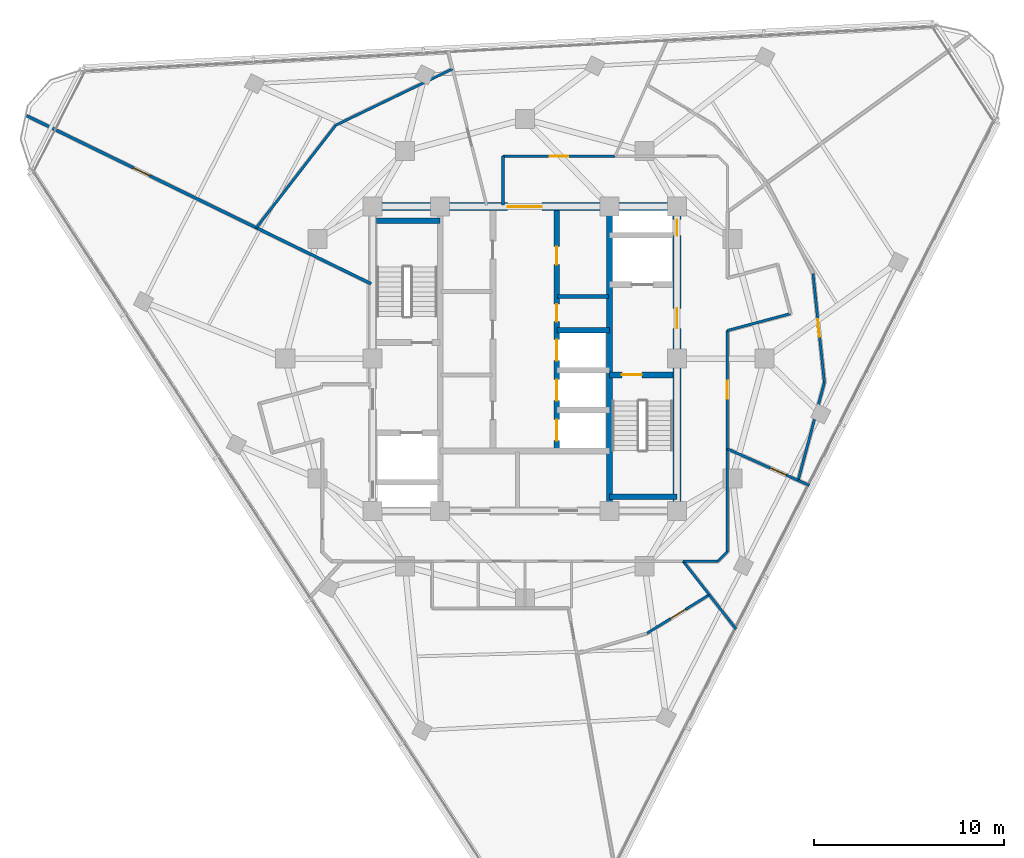
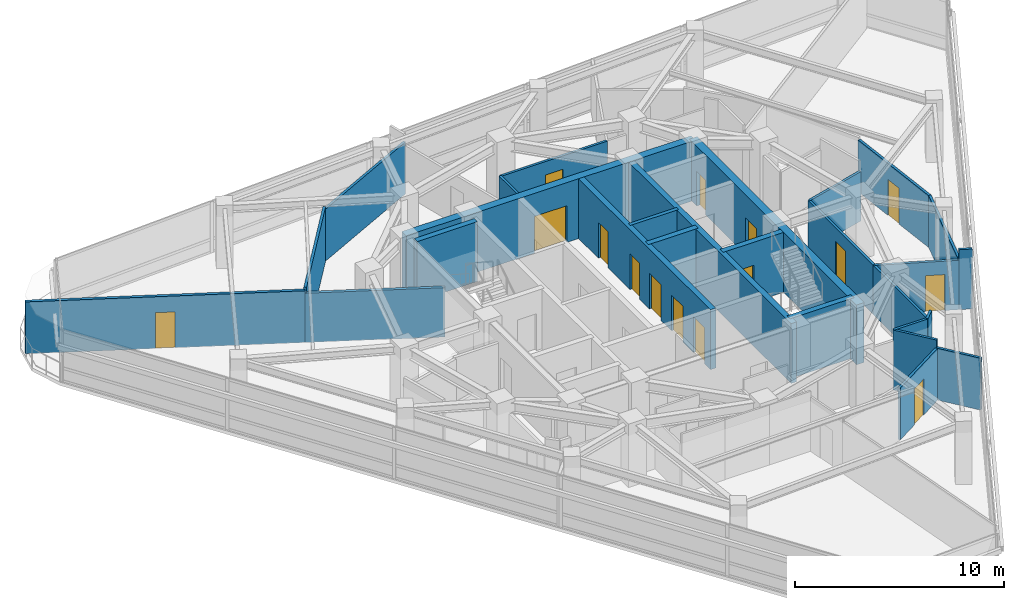
# One storey, part 9 of 15: 27 walls, 15 doors, 15 openings.
"""IFC4 building model written with IfcOpenShell, lengths in metres."""

from ifc_helpers import new_model, si_unit, direction, frame, frame_2d, origin, place, context, subcontext, project, spatial, rectangle, extrude, material, layer, layer_set, type_object, element, fill, save


model = new_model("IFC4")

# Units and contexts
model_context = context("Model", 3, precision=1e-05, world=origin(), true_north=direction((0.0, 1.0)))
body_context = subcontext(model_context, "Body", "Model", "MODEL_VIEW")
ifc_project = project(units=[si_unit("LENGTHUNIT", "METRE"), si_unit("AREAUNIT", "SQUARE_METRE"), si_unit("VOLUMEUNIT", "CUBIC_METRE"), si_unit("PLANEANGLEUNIT", "RADIAN"), si_unit("MASSUNIT", "GRAM", prefix="KILO")], contexts=[model_context])

# Site, building, storey
site_placement = place(None, origin())
site = spatial("IfcSite", under=ifc_project, at=site_placement, CompositionType="ELEMENT")
building_placement = place(site_placement, origin())
building = spatial("IfcBuilding", under=site, at=building_placement, Name="Terralouvre Media Tower", CompositionType="ELEMENT")
storey_placement = place(building_placement, frame((0.0, 0.0, 255.89990234375)))
storey = spatial("IfcBuildingStorey", under=building, at=storey_placement, Name="L66", CompositionType="ELEMENT", Elevation=255.89990234375)

# Walls
ifc_material_1 = material(Name="Concrete C50/60", Category="concrete")
ifc_layer_1 = layer(ifc_material_1, 0.300048828125, Name="Core Internal Shaft Wall CW-300")
ifc_layer_set_1 = layer_set([ifc_layer_1], Name="Concrete C50/60")
wall_type_1 = type_object("IfcWallType", Name="Core Internal Shaft Wall CW-300", PredefinedType="SHEAR", material=ifc_layer_set_1)
wall_1_placement = place(storey_placement, frame((4.449951171875, -7.7900390625, 0.0), z_axis=(0.0, 0.0, 1.0), x_axis=(0.0, 1.0, 0.0)))
element("IfcWall", 1, at=wall_1_placement, inside=storey, type_object=wall_type_1, Name="L66 Core Shaft Wall SPE", PredefinedType="SHEAR", context=body_context, shape_type="SweptSolid", body=[
    extrude(rectangle(XDim=15.580078125, YDim=0.300048828125, at=frame_2d((7.7900390625, 0.0))), origin(), (0.0, 0.0, 1.0), 3.5),
])
wall_2_placement = place(storey_placement, frame((-7.7900390625, 7.260009765625, 0.0), z_axis=(0.0, 0.0, 1.0), x_axis=(1.0, 0.0, 0.0)))
element("IfcWall", 2, at=wall_2_placement, inside=storey, type_object=wall_type_1, Name="L66 Core Shaft Wall ST1F", PredefinedType="SHEAR", context=body_context, shape_type="SweptSolid", body=[
    extrude(rectangle(XDim=3.340087890625, YDim=0.300048828125, at=frame_2d((1.669921875, 0.0))), origin(), (0.0, 0.0, 1.0), 3.5),
])

# Wall, opening, door
wall_3_placement = place(storey_placement, frame((4.449951171875, -0.85009765625, 0.0), z_axis=(0.0, 0.0, 1.0), x_axis=(1.0, 0.0, 0.0)))
wall_3 = element("IfcWall", 3, at=wall_3_placement, inside=storey, type_object=wall_type_1, Name="L66 Core Shaft Wall ST2D", PredefinedType="SHEAR", context=body_context, shape_type="SweptSolid", body=[
    extrude(rectangle(XDim=3.340087890625, YDim=0.300048828125, at=frame_2d((1.669921875, 0.0))), origin(), (0.0, 0.0, 1.0), 3.5),
])
opening_1_placement = place(wall_3_placement, frame((0.64990234375, 0.0, 0.0)))
opening_1 = element("IfcOpeningElement", 4, at=opening_1_placement, cuts=wall_3, Name="Opening FD-01-105X215", PredefinedType="OPENING", context=body_context, shape_type="SweptSolid", body=[
    extrude(rectangle(XDim=1.050048828125, YDim=2.14990234375, at=frame_2d((0.52490234375, 1.074951171875))), frame((0.0, 0.159912109375, 0.0), z_axis=(0.0, -1.0, 0.0), x_axis=(1.0, 0.0, 0.0)), (0.0, 0.0, 1.0), 0.320068359375),
])
ifc_material_2 = material(Name="Galvanised steel fire-resisting leaf", Category="steel")
door_type_1 = type_object("IfcDoorType", Name="Stair and Firefighting Lobby Fire Door FD-01 (1050x2150)", OperationType="NOTDEFINED", PredefinedType="DOOR", material=ifc_material_2)
door_1_placement = place(opening_1_placement, origin())
door_1 = element("IfcDoor", 5, at=door_1_placement, inside=storey, type_object=door_type_1, Name="L66 ST-02 Exit Stair Door", OperationType="SINGLE_SWING_RIGHT", OverallHeight=2.14990234375, OverallWidth=1.050048828125, PredefinedType="DOOR", context=body_context, shape_type="SweptSolid", body=[
    extrude(rectangle(XDim=1.050048828125, YDim=2.14990234375, at=frame_2d((0.52490234375, 1.074951171875))), frame((0.0, 0.02490234375, 0.0), z_axis=(0.0, -1.0, 0.0), x_axis=(1.0, 0.0, 0.0)), (0.0, 0.0, 1.0), 0.050048828125),
])
fill(opening_1, door_1)

# Wall
wall_4_placement = place(storey_placement, frame((4.449951171875, -7.260009765625, 0.0), z_axis=(0.0, 0.0, 1.0), x_axis=(1.0, 0.0, 0.0)))
element("IfcWall", 6, at=wall_4_placement, inside=storey, type_object=wall_type_1, Name="L66 Core Shaft Wall ST2F", PredefinedType="SHEAR", context=body_context, shape_type="SweptSolid", body=[
    extrude(rectangle(XDim=3.550048828125, YDim=0.300048828125, at=frame_2d((1.77490234375, 0.0))), origin(), (0.0, 0.0, 1.0), 3.5),
])

# Wall, openings, doors
wall_5_placement = place(storey_placement, frame((1.679931640625, -4.85009765625, 0.0), z_axis=(0.0, 0.0, 1.0), x_axis=(0.0, 1.0, 0.0)))
wall_5 = element("IfcWall", 7, at=wall_5_placement, inside=storey, type_object=wall_type_1, Name="L66 Core Shaft Wall LBE", PredefinedType="SHEAR", context=body_context, shape_type="SweptSolid", body=[
    extrude(rectangle(XDim=12.64013671875, YDim=0.300048828125, at=frame_2d((6.320068359375, 0.0))), origin(), (0.0, 0.0, 1.0), 3.5),
])
opening_2_placement = place(wall_5_placement, frame((0.550048828125, 0.0, 0.0)))
opening_2 = element("IfcOpeningElement", 8, at=opening_2_placement, cuts=wall_5, Name="Opening LD-PL", PredefinedType="OPENING", context=body_context, shape_type="SweptSolid", body=[
    extrude(rectangle(XDim=1.10009765625, YDim=2.10009765625, at=frame_2d((0.550048828125, 1.050048828125))), frame((0.0, 0.159912109375, 0.0), z_axis=(0.0, -1.0, 0.0), x_axis=(1.0, 0.0, 0.0)), (0.0, 0.0, 1.0), 0.320068359375),
])
opening_3_placement = place(wall_5_placement, frame((2.64990234375, 0.0, 0.0)))
opening_3 = element("IfcOpeningElement", 9, at=opening_3_placement, cuts=wall_5, Name="Opening LD-PL", PredefinedType="OPENING", context=body_context, shape_type="SweptSolid", body=[
    extrude(rectangle(XDim=1.10009765625, YDim=2.10009765625, at=frame_2d((0.550048828125, 1.050048828125))), frame((0.0, 0.159912109375, 0.0), z_axis=(0.0, -1.0, 0.0), x_axis=(1.0, 0.0, 0.0)), (0.0, 0.0, 1.0), 0.320068359375),
])
opening_4_placement = place(wall_5_placement, frame((4.75, 0.0, 0.0)))
opening_4 = element("IfcOpeningElement", 10, at=opening_4_placement, cuts=wall_5, Name="Opening LD-PL", PredefinedType="OPENING", context=body_context, shape_type="SweptSolid", body=[
    extrude(rectangle(XDim=1.10009765625, YDim=2.10009765625, at=frame_2d((0.550048828125, 1.050048828125))), frame((0.0, 0.159912109375, 0.0), z_axis=(0.0, -1.0, 0.0), x_axis=(1.0, 0.0, 0.0)), (0.0, 0.0, 1.0), 0.320068359375),
])
opening_5_placement = place(wall_5_placement, frame((6.800048828125, 0.0, 0.0)))
opening_5 = element("IfcOpeningElement", 11, at=opening_5_placement, cuts=wall_5, Name="Opening FD-05-92X210", PredefinedType="OPENING", context=body_context, shape_type="SweptSolid", body=[
    extrude(rectangle(XDim=0.919921875, YDim=2.10009765625, at=frame_2d((0.4599609375, 1.050048828125))), frame((0.0, 0.159912109375, 0.0), z_axis=(0.0, -1.0, 0.0), x_axis=(1.0, 0.0, 0.0)), (0.0, 0.0, 1.0), 0.320068359375),
])
opening_6_placement = place(wall_5_placement, frame((9.800048828125, 0.0, 0.0)))
opening_6 = element("IfcOpeningElement", 12, at=opening_6_placement, cuts=wall_5, Name="Opening FD-02-95X210", PredefinedType="OPENING", context=body_context, shape_type="SweptSolid", body=[
    extrude(rectangle(XDim=0.949951171875, YDim=2.10009765625, at=frame_2d((0.47509765625, 1.050048828125))), frame((0.0, 0.159912109375, 0.0), z_axis=(0.0, -1.0, 0.0), x_axis=(1.0, 0.0, 0.0)), (0.0, 0.0, 1.0), 0.320068359375),
])
ifc_material_3 = material(Name="Galvanised steel fire-resisting leaf", Category="steel")
door_type_2 = type_object("IfcDoorType", Name="Core Accessible Closet Fire Door FD-05 (920x2100)", OperationType="NOTDEFINED", PredefinedType="DOOR", material=ifc_material_3)
door_2_placement = place(opening_5_placement, origin())
door_2 = element("IfcDoor", 13, at=door_2_placement, inside=storey, type_object=door_type_2, Name="L66 Core Safe Store Door", OperationType="SINGLE_SWING_LEFT", OverallHeight=2.10009765625, OverallWidth=0.919921875, PredefinedType="DOOR", context=body_context, shape_type="SweptSolid", body=[
    extrude(rectangle(XDim=0.919921875, YDim=2.10009765625, at=frame_2d((0.4599609375, 1.050048828125))), frame((0.0, 0.02490234375, 0.0), z_axis=(0.0, -1.0, 0.0), x_axis=(1.0, 0.0, 0.0)), (0.0, 0.0, 1.0), 0.050048828125),
])
fill(opening_5, door_2)
ifc_material_4 = material(Name="Stainless steel 316 handrail and balustrade", Category="steel")
door_type_3 = type_object("IfcDoorType", Name="Passenger Lift Sliding Landing Door LD-PL", OperationType="SLIDING_TO_LEFT", PredefinedType="DOOR", material=ifc_material_4)
door_3_placement = place(opening_2_placement, origin())
door_3 = element("IfcDoor", 14, at=door_3_placement, inside=storey, type_object=door_type_3, Name="L66 High-Rise Lift PL-H1 Landing Door", OperationType="SLIDING_TO_LEFT", OverallHeight=2.10009765625, OverallWidth=1.10009765625, PredefinedType="DOOR", context=body_context, shape_type="SweptSolid", body=[
    extrude(rectangle(XDim=1.10009765625, YDim=2.10009765625, at=frame_2d((0.550048828125, 1.050048828125))), frame((0.0, 0.02490234375, 0.0), z_axis=(0.0, -1.0, 0.0), x_axis=(1.0, 0.0, 0.0)), (0.0, 0.0, 1.0), 0.050048828125),
])
fill(opening_2, door_3)
door_4_placement = place(opening_3_placement, origin())
door_4 = element("IfcDoor", 15, at=door_4_placement, inside=storey, type_object=door_type_3, Name="L66 High-Rise Lift PL-H2 Landing Door", OperationType="SLIDING_TO_LEFT", OverallHeight=2.10009765625, OverallWidth=1.10009765625, PredefinedType="DOOR", context=body_context, shape_type="SweptSolid", body=[
    extrude(rectangle(XDim=1.10009765625, YDim=2.10009765625, at=frame_2d((0.550048828125, 1.050048828125))), frame((0.0, 0.02490234375, 0.0), z_axis=(0.0, -1.0, 0.0), x_axis=(1.0, 0.0, 0.0)), (0.0, 0.0, 1.0), 0.050048828125),
])
fill(opening_3, door_4)
door_5_placement = place(opening_4_placement, origin())
door_5 = element("IfcDoor", 16, at=door_5_placement, inside=storey, type_object=door_type_3, Name="L66 High-Rise Lift PL-H3 Landing Door", OperationType="SLIDING_TO_LEFT", OverallHeight=2.10009765625, OverallWidth=1.10009765625, PredefinedType="DOOR", context=body_context, shape_type="SweptSolid", body=[
    extrude(rectangle(XDim=1.10009765625, YDim=2.10009765625, at=frame_2d((0.550048828125, 1.050048828125))), frame((0.0, 0.02490234375, 0.0), z_axis=(0.0, -1.0, 0.0), x_axis=(1.0, 0.0, 0.0)), (0.0, 0.0, 1.0), 0.050048828125),
])
fill(opening_4, door_5)
ifc_material_5 = material(Name="Galvanised steel fire-resisting leaf", Category="steel")
door_type_4 = type_object("IfcDoorType", Name="Plant and Riser Fire Door FD-02 (950x2100)", OperationType="NOTDEFINED", PredefinedType="DOOR", material=ifc_material_5)
door_6_placement = place(opening_6_placement, origin())
door_6 = element("IfcDoor", 17, at=door_6_placement, inside=storey, type_object=door_type_4, Name="L66 Core IT Patch Plant Door", OperationType="SINGLE_SWING_RIGHT", OverallHeight=2.10009765625, OverallWidth=0.949951171875, PredefinedType="DOOR", context=body_context, shape_type="SweptSolid", body=[
    extrude(rectangle(XDim=0.949951171875, YDim=2.10009765625, at=frame_2d((0.47509765625, 1.050048828125))), frame((0.0, 0.02490234375, 0.0), z_axis=(0.0, -1.0, 0.0), x_axis=(1.0, 0.0, 0.0)), (0.0, 0.0, 1.0), 0.050048828125),
])
fill(opening_6, door_6)

# Wall
wall_6_placement = place(storey_placement, frame((1.679931640625, 1.5, 0.0), z_axis=(0.0, 0.0, 1.0), x_axis=(1.0, 0.0, 0.0)))
element("IfcWall", 18, at=wall_6_placement, inside=storey, type_object=wall_type_1, Name="L66 Core Shaft Wall PLMBOT", PredefinedType="SHEAR", context=body_context, shape_type="SweptSolid", body=[
    extrude(rectangle(XDim=2.77001953125, YDim=0.300048828125, at=frame_2d((1.385009765625, 0.0))), origin(), (0.0, 0.0, 1.0), 3.5),
])

# Wall, openings, doors
ifc_material_6 = material(Name="Concrete C60/75", Category="concrete")
ifc_layer_2 = layer(ifc_material_6, 0.419921875, Name="Core Reinforced Concrete Shear Wall CW-420")
ifc_layer_set_2 = layer_set([ifc_layer_2], Name="Concrete C60/75")
wall_type_2 = type_object("IfcWallType", Name="Core Reinforced Concrete Shear Wall CW-420", PredefinedType="SHEAR", material=ifc_layer_set_2)
wall_7_placement = place(storey_placement, frame((8.0, -8.0, 0.0), z_axis=(0.0, 0.0, 1.0), x_axis=(0.0, 1.0, 0.0)))
wall_7 = element("IfcWall", 19, at=wall_7_placement, inside=storey, type_object=wall_type_2, Name="L66 E Core Shear Wall", PredefinedType="SHEAR", context=body_context, shape_type="SweptSolid", body=[
    extrude(rectangle(XDim=16.0, YDim=0.419921875, at=frame_2d((8.0, 0.0))), origin(), (0.0, 0.0, 1.0), 3.5),
])
opening_7_placement = place(wall_7_placement, frame((9.60009765625, 0.0, 0.0)))
opening_7 = element("IfcOpeningElement", 20, at=opening_7_placement, cuts=wall_7, Name="Opening FD-01-105X215", PredefinedType="OPENING", context=body_context, shape_type="SweptSolid", body=[
    extrude(rectangle(XDim=1.050048828125, YDim=2.14990234375, at=frame_2d((0.52490234375, 1.074951171875))), frame((0.0, 0.219970703125, 0.0), z_axis=(0.0, -1.0, 0.0), x_axis=(1.0, 0.0, 0.0)), (0.0, 0.0, 1.0), 0.43994140625),
])
opening_8_placement = place(wall_7_placement, frame((14.468994140625, 0.0, 0.0)))
opening_8 = element("IfcOpeningElement", 21, at=opening_8_placement, cuts=wall_7, Name="Opening TD-R1", PredefinedType="OPENING", context=body_context, shape_type="SweptSolid", body=[
    extrude(rectangle(XDim=0.85009765625, YDim=2.02001953125, at=frame_2d((0.425048828125, 1.010009765625))), frame((0.0, 0.219970703125, 0.0), z_axis=(0.0, -1.0, 0.0), x_axis=(1.0, 0.0, 0.0)), (0.0, 0.0, 1.0), 0.43994140625),
])
ifc_material_7 = material(Name="Galvanised steel fire-resisting leaf", Category="steel")
door_type_5 = type_object("IfcDoorType", Name="Riser Inspection Access Trapdoor TD-R1", OperationType="NOTDEFINED", PredefinedType="TRAPDOOR", material=ifc_material_7)
door_7_placement = place(opening_8_placement, origin())
door_7 = element("IfcDoor", 22, at=door_7_placement, inside=storey, type_object=door_type_5, Name="L66 East Comms Riser Access Trapdoor", OperationType="SINGLE_SWING_RIGHT", OverallHeight=2.02001953125, OverallWidth=0.85009765625, PredefinedType="TRAPDOOR", context=body_context, shape_type="SweptSolid", body=[
    extrude(rectangle(XDim=0.85009765625, YDim=2.02001953125, at=frame_2d((0.425048828125, 1.010009765625))), frame((0.0, 0.02490234375, 0.0), z_axis=(0.0, -1.0, 0.0), x_axis=(1.0, 0.0, 0.0)), (0.0, 0.0, 1.0), 0.050048828125),
])
fill(opening_8, door_7)
door_8_placement = place(opening_7_placement, origin())
door_8 = element("IfcDoor", 23, at=door_8_placement, inside=storey, type_object=door_type_1, Name="L66 East Firefighting Lobby Entry Door", OperationType="SINGLE_SWING_LEFT", OverallHeight=2.14990234375, OverallWidth=1.050048828125, PredefinedType="DOOR", context=body_context, shape_type="SweptSolid", body=[
    extrude(rectangle(XDim=1.050048828125, YDim=2.14990234375, at=frame_2d((0.52490234375, 1.074951171875))), frame((0.0, 0.02490234375, 0.0), z_axis=(0.0, -1.0, 0.0), x_axis=(1.0, 0.0, 0.0)), (0.0, 0.0, 1.0), 0.050048828125),
])
fill(opening_7, door_8)

# Wall, opening, door
wall_8_placement = place(storey_placement, frame((-8.0, 8.0, 0.0), z_axis=(0.0, 0.0, 1.0), x_axis=(1.0, 0.0, 0.0)))
wall_8 = element("IfcWall", 24, at=wall_8_placement, inside=storey, type_object=wall_type_2, Name="L66 N Core Shear Wall", PredefinedType="SHEAR", context=body_context, shape_type="SweptSolid", body=[
    extrude(rectangle(XDim=16.0, YDim=0.419921875, at=frame_2d((8.0, 0.0))), origin(), (0.0, 0.0, 1.0), 3.5),
])
opening_9_placement = place(wall_8_placement, frame((7.10009765625, 0.0, 0.0)))
opening_9 = element("IfcOpeningElement", 25, at=opening_9_placement, cuts=wall_8, Name="Opening FD-03", PredefinedType="OPENING", context=body_context, shape_type="SweptSolid", body=[
    extrude(rectangle(XDim=1.800048828125, YDim=2.14990234375, at=frame_2d((0.89990234375, 1.074951171875))), frame((0.0, 0.219970703125, 0.0), z_axis=(0.0, -1.0, 0.0), x_axis=(1.0, 0.0, 0.0)), (0.0, 0.0, 1.0), 0.43994140625),
])
ifc_material_8 = material(Name="Galvanised steel fire-resisting leaf", Category="steel")
door_type_6 = type_object("IfcDoorType", Name="Corridor Smoke-Control Double Door FD-03", OperationType="DOUBLE_DOOR_SINGLE_SWING", PredefinedType="DOOR", material=ifc_material_8)
door_9_placement = place(opening_9_placement, origin())
door_9 = element("IfcDoor", 26, at=door_9_placement, inside=storey, type_object=door_type_6, Name="L66 Central Lift Lobby Portal Door", OperationType="DOUBLE_DOOR_SINGLE_SWING", OverallHeight=2.14990234375, OverallWidth=1.800048828125, PredefinedType="DOOR", context=body_context, shape_type="SweptSolid", body=[
    extrude(rectangle(XDim=1.800048828125, YDim=2.14990234375, at=frame_2d((0.89990234375, 1.074951171875))), frame((0.0, 0.02490234375, 0.0), z_axis=(0.0, -1.0, 0.0), x_axis=(1.0, 0.0, 0.0)), (0.0, 0.0, 1.0), 0.050048828125),
])
fill(opening_9, door_9)

# Wall
ifc_material_9 = material(Name="Fire-rated gypsum board drywall partition")
ifc_layer_3 = layer(ifc_material_9, 0.199951171875, Name="Fire-Rated Shaft and Lobby Partition FW-200")
ifc_layer_set_3 = layer_set([ifc_layer_3], Name="Fire-rated gypsum board drywall partition")
wall_type_3 = type_object("IfcWallType", Name="Fire-Rated Shaft and Lobby Partition FW-200", PredefinedType="SOLIDWALL", material=ifc_layer_set_3)
wall_9_placement = place(storey_placement, frame((1.719970703125, 3.27001953125, 0.0), z_axis=(0.0, 0.0, 1.0), x_axis=(1.0, 0.0, 0.0)))
element("IfcWall", 27, at=wall_9_placement, inside=storey, type_object=wall_type_3, Name="L66 Core East Sub-Partition 1", PredefinedType="SOLIDWALL", context=body_context, shape_type="SweptSolid", body=[
    extrude(rectangle(XDim=2.679931640625, YDim=0.199951171875, at=frame_2d((1.33984375, 0.0))), origin(), (0.0, 0.0, 1.0), 3.5),
])

# Wall, opening, door
ifc_material_10 = material(Name="Fire-rated gypsum board drywall partition")
ifc_layer_4 = layer(ifc_material_10, 0.135009765625, Name="Newsroom Acoustic Partition PT-135")
ifc_layer_set_4 = layer_set([ifc_layer_4], Name="Fire-rated gypsum board drywall partition")
wall_type_4 = type_object("IfcWallType", Name="Newsroom Acoustic Partition PT-135", PredefinedType="PARTITIONING", material=ifc_layer_set_4)
wall_10_placement = place(storey_placement, frame((10.64990234375, -4.741943359375, 0.0), z_axis=(0.0, 0.0, 1.0), x_axis=(0.0, 1.0, 0.0)))
wall_10 = element("IfcWall", 28, at=wall_10_placement, inside=storey, type_object=wall_type_4, Name="L66 Interior Partition 008", PredefinedType="PARTITIONING", context=body_context, shape_type="SweptSolid", body=[
    extrude(rectangle(XDim=6.223876953125, YDim=0.135009765625, at=frame_2d((3.11181640625, 0.0))), origin(), (0.0, 0.0, 1.0), 2.885009765625),
])
opening_10_placement = place(wall_10_placement, frame((2.636962890625, 0.0, 0.0)))
opening_10 = element("IfcOpeningElement", 29, at=opening_10_placement, cuts=wall_10, Name="Opening ID-02-95X210", PredefinedType="OPENING", context=body_context, shape_type="SweptSolid", body=[
    extrude(rectangle(XDim=0.949951171875, YDim=2.10009765625, at=frame_2d((0.47509765625, 1.050048828125))), frame((0.0, 0.077392578125, 0.0), z_axis=(0.0, -1.0, 0.0), x_axis=(1.0, 0.0, 0.0)), (0.0, 0.0, 1.0), 0.155029296875),
])
ifc_material_11 = material(Name="Engineered hardwood acoustic timber leaf", Category="wood")
door_type_7 = type_object("IfcDoorType", Name="Office and Meeting Room Door ID-02 (950x2100)", OperationType="NOTDEFINED", PredefinedType="DOOR", material=ifc_material_11)
door_10_placement = place(opening_10_placement, origin())
door_10 = element("IfcDoor", 30, at=door_10_placement, inside=storey, type_object=door_type_7, Name="L66 Classical and Jazz Listening Library 2 Door", OperationType="SINGLE_SWING_LEFT", OverallHeight=2.10009765625, OverallWidth=0.949951171875, PredefinedType="DOOR", context=body_context, shape_type="SweptSolid", body=[
    extrude(rectangle(XDim=0.949951171875, YDim=2.10009765625, at=frame_2d((0.47509765625, 1.050048828125))), frame((0.0, 0.02490234375, 0.0), z_axis=(0.0, -1.0, 0.0), x_axis=(1.0, 0.0, 0.0)), (0.0, 0.0, 1.0), 0.050048828125),
])
fill(opening_10, door_10)

# Walls
wall_11_placement = place(storey_placement, frame((10.64990234375, 1.48193359375, 0.0), z_axis=(0.0, 0.0, 1.0), x_axis=(0.965961397105, 0.2586862565, 0.0)))
element("IfcWall", 31, at=wall_11_placement, inside=storey, type_object=wall_type_4, Name="L66 Interior Partition 009", PredefinedType="PARTITIONING", context=body_context, shape_type="SweptSolid", body=[
    extrude(rectangle(XDim=3.4287109375, YDim=0.135009765625, at=frame_2d((1.71435546875, 0.0))), origin(), (0.0, 0.0, 1.0), 2.885009765625),
])
wall_12_placement = place(storey_placement, frame((8.321044921875, -10.64990234375, 0.0), z_axis=(0.0, 0.0, 1.0), x_axis=(1.0, 0.0, 0.0)))
element("IfcWall", 32, at=wall_12_placement, inside=storey, type_object=wall_type_4, Name="L66 Interior Partition 018", PredefinedType="PARTITIONING", context=body_context, shape_type="SweptSolid", body=[
    extrude(rectangle(XDim=1.828857421875, YDim=0.135009765625, at=frame_2d((0.91455078125, 0.0))), origin(), (0.0, 0.0, 1.0), 3.5),
])
wall_13_placement = place(storey_placement, frame((10.14990234375, -10.64990234375, 0.0), z_axis=(0.0, 0.0, 1.0), x_axis=(0.707106781187, 0.707106781187, 0.0)))
element("IfcWall", 33, at=wall_13_placement, inside=storey, type_object=wall_type_4, Name="L66 Interior Partition 019", PredefinedType="PARTITIONING", context=body_context, shape_type="SweptSolid", body=[
    extrude(rectangle(XDim=0.70703125, YDim=0.135009765625, at=frame_2d((0.353515625, 0.0))), origin(), (0.0, 0.0, 1.0), 3.5),
])
wall_14_placement = place(storey_placement, frame((10.64990234375, -10.14990234375, 0.0), z_axis=(0.0, 0.0, 1.0), x_axis=(0.0, 1.0, 0.0)))
element("IfcWall", 34, at=wall_14_placement, inside=storey, type_object=wall_type_4, Name="L66 Interior Partition 020", PredefinedType="PARTITIONING", context=body_context, shape_type="SweptSolid", body=[
    extrude(rectangle(XDim=5.407958984375, YDim=0.135009765625, at=frame_2d((2.7041015625, 0.0))), origin(), (0.0, 0.0, 1.0), 2.885009765625),
])

# Wall, opening, door
wall_15_placement = place(storey_placement, frame((4.741943359375, 10.64990234375, 0.0), z_axis=(0.0, 0.0, 1.0), x_axis=(-1.0, 0.0, 0.0)))
wall_15 = element("IfcWall", 35, at=wall_15_placement, inside=storey, type_object=wall_type_4, Name="L66 Interior Partition 024", PredefinedType="PARTITIONING", context=body_context, shape_type="SweptSolid", body=[
    extrude(rectangle(XDim=5.891845703125, YDim=0.135009765625, at=frame_2d((2.94580078125, 0.0))), origin(), (0.0, 0.0, 1.0), 2.885009765625),
])
opening_11_placement = place(wall_15_placement, frame((2.470947265625, 0.0, 0.0)))
opening_11 = element("IfcOpeningElement", 36, at=opening_11_placement, cuts=wall_15, Name="Opening ID-02-95X210", PredefinedType="OPENING", context=body_context, shape_type="SweptSolid", body=[
    extrude(rectangle(XDim=0.949951171875, YDim=2.10009765625, at=frame_2d((0.47509765625, 1.050048828125))), frame((0.0, 0.077392578125, 0.0), z_axis=(0.0, -1.0, 0.0), x_axis=(1.0, 0.0, 0.0)), (0.0, 0.0, 1.0), 0.155029296875),
])
door_11_placement = place(opening_11_placement, origin())
door_11 = element("IfcDoor", 37, at=door_11_placement, inside=storey, type_object=door_type_7, Name="L66 Manuscript Rare Archive Storage 10 Door", OperationType="SINGLE_SWING_LEFT", OverallHeight=2.10009765625, OverallWidth=0.949951171875, PredefinedType="DOOR", context=body_context, shape_type="SweptSolid", body=[
    extrude(rectangle(XDim=0.949951171875, YDim=2.10009765625, at=frame_2d((0.47509765625, 1.050048828125))), frame((0.0, 0.02490234375, 0.0), z_axis=(0.0, -1.0, 0.0), x_axis=(1.0, 0.0, 0.0)), (0.0, 0.0, 1.0), 0.050048828125),
])
fill(opening_11, door_11)

# Wall
wall_16_placement = place(storey_placement, frame((-1.14990234375, 10.64990234375, 0.0), z_axis=(0.0, 0.0, 1.0), x_axis=(0.0, -1.0, 0.0)))
element("IfcWall", 38, at=wall_16_placement, inside=storey, type_object=wall_type_4, Name="L66 Interior Partition 025", PredefinedType="PARTITIONING", context=body_context, shape_type="SweptSolid", body=[
    extrude(rectangle(XDim=2.56982421875, YDim=0.135009765625, at=frame_2d((1.284912109375, 0.0))), origin(), (0.0, 0.0, 1.0), 2.885009765625),
])

# Wall, opening, door
wall_17_placement = place(storey_placement, frame((10.64990234375, -4.741943359375, 0.0), z_axis=(0.0, 0.0, 1.0), x_axis=(0.913526929547, -0.406778255309, 0.0)))
wall_17 = element("IfcWall", 39, at=wall_17_placement, inside=storey, type_object=wall_type_4, Name="L66 Interior Partition 029", PredefinedType="PARTITIONING", context=body_context, shape_type="SweptSolid", body=[
    extrude(rectangle(XDim=4.071044921875, YDim=0.135009765625, at=frame_2d((2.03564453125, 0.0))), origin(), (0.0, 0.0, 1.0), 2.885009765625),
])
opening_12_placement = place(wall_17_placement, frame((2.47119140625, 0.0, 0.0)))
opening_12 = element("IfcOpeningElement", 40, at=opening_12_placement, cuts=wall_17, Name="Opening ID-03-92X210", PredefinedType="OPENING", context=body_context, shape_type="SweptSolid", body=[
    extrude(rectangle(XDim=0.919921875, YDim=2.10009765625, at=frame_2d((0.4599609375, 1.050048828125))), frame((0.0, 0.077392578125, 0.0), z_axis=(0.0, -1.0, 0.0), x_axis=(1.0, 0.0, 0.0)), (0.0, 0.0, 1.0), 0.155029296875),
])
ifc_material_12 = material(Name="Engineered hardwood acoustic timber leaf", Category="wood")
door_type_8 = type_object("IfcDoorType", Name="Accessible Restroom and Suite Door ID-03 (920x2100)", OperationType="NOTDEFINED", PredefinedType="DOOR", material=ifc_material_12)
door_12_placement = place(opening_12_placement, origin())
door_12 = element("IfcDoor", 41, at=door_12_placement, inside=storey, type_object=door_type_8, Name="L66 Literary Salon Lounge 6 Door", OperationType="SINGLE_SWING_RIGHT", OverallHeight=2.10009765625, OverallWidth=0.919921875, PredefinedType="DOOR", context=body_context, shape_type="SweptSolid", body=[
    extrude(rectangle(XDim=0.919921875, YDim=2.10009765625, at=frame_2d((0.4599609375, 1.050048828125))), frame((0.0, 0.02490234375, 0.0), z_axis=(0.0, -1.0, 0.0), x_axis=(1.0, 0.0, 0.0)), (0.0, 0.0, 1.0), 0.050048828125),
])
fill(opening_12, door_12)

# Wall
wall_18_placement = place(storey_placement, frame((14.368896484375, -6.39794921875, 0.0), z_axis=(0.0, 0.0, 1.0), x_axis=(0.258820640976, 0.965925398675, 0.0)))
element("IfcWall", 42, at=wall_18_placement, inside=storey, type_object=wall_type_4, Name="L66 Interior Partition 030", PredefinedType="PARTITIONING", context=body_context, shape_type="SweptSolid", body=[
    extrude(rectangle(XDim=5.33984375, YDim=0.135009765625, at=frame_2d((2.669921875, 0.0))), origin(), (0.0, 0.0, 1.0), 3.03515625),
])

# Wall, opening, door
wall_19_placement = place(storey_placement, frame((15.7509765625, -1.239990234375, 0.0), z_axis=(0.0, 0.0, 1.0), x_axis=(-0.104547955553, 0.994519846453, 0.0)))
wall_19 = element("IfcWall", 43, at=wall_19_placement, inside=storey, type_object=wall_type_4, Name="L66 Interior Partition 031", PredefinedType="PARTITIONING", context=body_context, shape_type="SweptSolid", body=[
    extrude(rectangle(XDim=5.758544921875, YDim=0.135009765625, at=frame_2d((2.87939453125, 0.0))), origin(), (0.0, 0.0, 1.0), 3.03515625),
])
opening_13_placement = place(wall_19_placement, frame((2.419189453125, 0.0, 0.0)))
opening_13 = element("IfcOpeningElement", 44, at=opening_13_placement, cuts=wall_19, Name="Opening ID-03-92X210", PredefinedType="OPENING", context=body_context, shape_type="SweptSolid", body=[
    extrude(rectangle(XDim=0.919921875, YDim=2.10009765625, at=frame_2d((0.4599609375, 1.050048828125))), frame((0.0, 0.077392578125, 0.0), z_axis=(0.0, -1.0, 0.0), x_axis=(1.0, 0.0, 0.0)), (0.0, 0.0, 1.0), 0.155029296875),
])
door_13_placement = place(opening_13_placement, origin())
door_13 = element("IfcDoor", 45, at=door_13_placement, inside=storey, type_object=door_type_8, Name="L66 Chamber Rehearsal Creative Workshop 7 Door", OperationType="SINGLE_SWING_LEFT", OverallHeight=2.10009765625, OverallWidth=0.919921875, PredefinedType="DOOR", context=body_context, shape_type="SweptSolid", body=[
    extrude(rectangle(XDim=0.919921875, YDim=2.10009765625, at=frame_2d((0.4599609375, 1.050048828125))), frame((0.0, 0.02490234375, 0.0), z_axis=(0.0, -1.0, 0.0), x_axis=(1.0, 0.0, 0.0)), (0.0, 0.0, 1.0), 0.050048828125),
])
fill(opening_13, door_13)

wall_20_placement = place(storey_placement, frame((9.696044921875, -12.410888671875, 0.0), z_axis=(0.0, 0.0, 1.0), x_axis=(-0.850393663863, -0.526146953295, 0.0)))
wall_20 = element("IfcWall", 46, at=wall_20_placement, inside=storey, type_object=wall_type_4, Name="L66 Interior Partition 043", PredefinedType="PARTITIONING", context=body_context, shape_type="SweptSolid", body=[
    extrude(rectangle(XDim=3.84521484375, YDim=0.135009765625, at=frame_2d((1.922607421875, 0.0))), origin(), (0.0, 0.0, 1.0), 3.03515625),
])
opening_14_placement = place(wall_20_placement, frame((1.462646484375, 0.0, 0.0)))
opening_14 = element("IfcOpeningElement", 47, at=opening_14_placement, cuts=wall_20, Name="Opening ID-03-92X210", PredefinedType="OPENING", context=body_context, shape_type="SweptSolid", body=[
    extrude(rectangle(XDim=0.919921875, YDim=2.10009765625, at=frame_2d((0.4599609375, 1.050048828125))), frame((0.0, 0.077392578125, 0.0), z_axis=(0.0, -1.0, 0.0), x_axis=(1.0, 0.0, 0.0)), (0.0, 0.0, 1.0), 0.155029296875),
])
door_14_placement = place(opening_14_placement, origin())
door_14 = element("IfcDoor", 48, at=door_14_placement, inside=storey, type_object=door_type_8, Name="L66 Cultural Quarterly Editorial Office 4 Door", OperationType="SINGLE_SWING_LEFT", OverallHeight=2.10009765625, OverallWidth=0.919921875, PredefinedType="DOOR", context=body_context, shape_type="SweptSolid", body=[
    extrude(rectangle(XDim=0.919921875, YDim=2.10009765625, at=frame_2d((0.4599609375, 1.050048828125))), frame((0.0, 0.02490234375, 0.0), z_axis=(0.0, -1.0, 0.0), x_axis=(1.0, 0.0, 0.0)), (0.0, 0.0, 1.0), 0.050048828125),
])
fill(opening_14, door_14)

# Walls
wall_21_placement = place(storey_placement, frame((11.1083984375, -14.21826171875, 0.0), z_axis=(0.0, 0.0, 1.0), x_axis=(-0.615736984334, 0.787951753677, 0.0)))
element("IfcWall", 49, at=wall_21_placement, inside=storey, type_object=wall_type_4, Name="L66 Interior Partition 045", PredefinedType="PARTITIONING", context=body_context, shape_type="SweptSolid", body=[
    extrude(rectangle(XDim=2.293701171875, YDim=0.135009765625, at=frame_2d((1.14697265625, 0.0))), origin(), (0.0, 0.0, 1.0), 3.03515625),
])
wall_22_placement = place(storey_placement, frame((9.696044921875, -12.410888671875, 0.0), z_axis=(0.0, 0.0, 1.0), x_axis=(-0.615429845305, 0.788191668002, 0.0)))
element("IfcWall", 50, at=wall_22_placement, inside=storey, type_object=wall_type_4, Name="L66 Interior Partition 046", PredefinedType="PARTITIONING", context=body_context, shape_type="SweptSolid", body=[
    extrude(rectangle(XDim=2.234130859375, YDim=0.135009765625, at=frame_2d((1.1171875, 0.0))), origin(), (0.0, 0.0, 1.0), 3.5),
])
wall_23_placement = place(storey_placement, frame((14.95947265625, -6.66015625, 0.0), z_axis=(0.0, 0.0, 1.0), x_axis=(-0.913967286969, 0.405787873586, 0.0)))
element("IfcWall", 51, at=wall_23_placement, inside=storey, type_object=wall_type_4, Name="L66 Interior Partition 047", PredefinedType="PARTITIONING", context=body_context, shape_type="SweptSolid", body=[
    extrude(rectangle(XDim=0.646240234375, YDim=0.135009765625, at=frame_2d((0.3232421875, 0.0))), origin(), (0.0, 0.0, 1.0), 3.5),
])
wall_24_placement = place(storey_placement, frame((-3.800048828125, 15.241943359375, 0.0), z_axis=(0.0, 0.0, 1.0), x_axis=(-0.900708156853, -0.434424695635, 0.0)))
element("IfcWall", 52, at=wall_24_placement, inside=storey, type_object=wall_type_4, Name="L66 Interior Partition 055", PredefinedType="PARTITIONING", context=body_context, shape_type="SweptSolid", body=[
    extrude(rectangle(XDim=6.8203125, YDim=0.135009765625, at=frame_2d((3.41015625, 0.0))), origin(), (0.0, 0.0, 1.0), 3.03515625),
])
wall_25_placement = place(storey_placement, frame((-9.943115234375, 12.279052734375, 0.0), z_axis=(0.0, 0.0, 1.0), x_axis=(-0.612219395693, -0.790687935621, 0.0)))
element("IfcWall", 53, at=wall_25_placement, inside=storey, type_object=wall_type_4, Name="L66 Interior Partition 056", PredefinedType="PARTITIONING", context=body_context, shape_type="SweptSolid", body=[
    extrude(rectangle(XDim=6.82080078125, YDim=0.135009765625, at=frame_2d((3.410400390625, 0.0))), origin(), (0.0, 0.0, 1.0), 3.18505859375),
])
ifc_material_13 = material(Name="Fire-rated gypsum board drywall partition")
ifc_layer_5 = layer(ifc_material_13, 0.159912109375, Name="Studio Acoustic Rated Partition PT-160")
ifc_layer_set_5 = layer_set([ifc_layer_5], Name="Fire-rated gypsum board drywall partition")
wall_type_5 = type_object("IfcWallType", Name="Studio Acoustic Rated Partition PT-160", PredefinedType="PARTITIONING", material=ifc_layer_set_5)
wall_26_placement = place(storey_placement, frame((-8.080078125, 3.940673828125, 0.0), z_axis=(0.0, 0.0, 1.0), x_axis=(-0.898794985177, 0.438369221798, 0.0)))
element("IfcWall", 54, at=wall_26_placement, inside=storey, type_object=wall_type_5, Name="L66 Interior Partition 027", PredefinedType="PARTITIONING", context=body_context, shape_type="SweptSolid", body=[
    extrude(rectangle(XDim=6.71875, YDim=0.159912109375, at=frame_2d((3.359375, 0.0))), origin(), (0.0, 0.0, 1.0), 2.885009765625),
])

# Wall, opening, door
wall_27_placement = place(storey_placement, frame((-14.118896484375, 6.885986328125, 0.0), z_axis=(0.0, 0.0, 1.0), x_axis=(-0.898768620199, 0.438423274184, 0.0)))
wall_27 = element("IfcWall", 55, at=wall_27_placement, inside=storey, type_object=wall_type_5, Name="L66 Interior Partition 028", PredefinedType="PARTITIONING", context=body_context, shape_type="SweptSolid", body=[
    extrude(rectangle(XDim=13.442138671875, YDim=0.159912109375, at=frame_2d((6.72119140625, 0.0))), origin(), (0.0, 0.0, 1.0), 3.03515625),
])
opening_15_placement = place(wall_27_placement, frame((6.260986328125, 0.0, 0.0)))
opening_15 = element("IfcOpeningElement", 56, at=opening_15_placement, cuts=wall_27, Name="Opening ID-03-92X210", PredefinedType="OPENING", context=body_context, shape_type="SweptSolid", body=[
    extrude(rectangle(XDim=0.919921875, YDim=2.10009765625, at=frame_2d((0.4599609375, 1.050048828125))), frame((0.0, 0.08984375, 0.0), z_axis=(0.0, -1.0, 0.0), x_axis=(1.0, 0.0, 0.0)), (0.0, 0.0, 1.0), 0.179931640625),
])
door_15_placement = place(opening_15_placement, origin())
door_15 = element("IfcDoor", 57, at=door_15_placement, inside=storey, type_object=door_type_8, Name="L66 Arts Guest Reception 12 Door", OperationType="SINGLE_SWING_RIGHT", OverallHeight=2.10009765625, OverallWidth=0.919921875, PredefinedType="DOOR", context=body_context, shape_type="SweptSolid", body=[
    extrude(rectangle(XDim=0.919921875, YDim=2.10009765625, at=frame_2d((0.4599609375, 1.050048828125))), frame((0.0, 0.02490234375, 0.0), z_axis=(0.0, -1.0, 0.0), x_axis=(1.0, 0.0, 0.0)), (0.0, 0.0, 1.0), 0.050048828125),
])
fill(opening_15, door_15)

save(model, "model.ifc")
